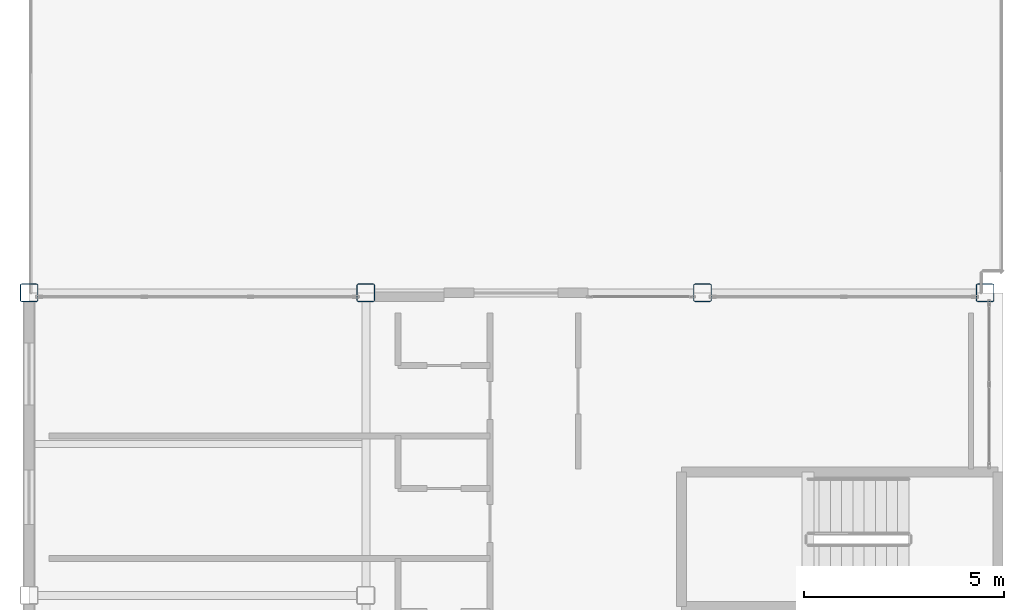
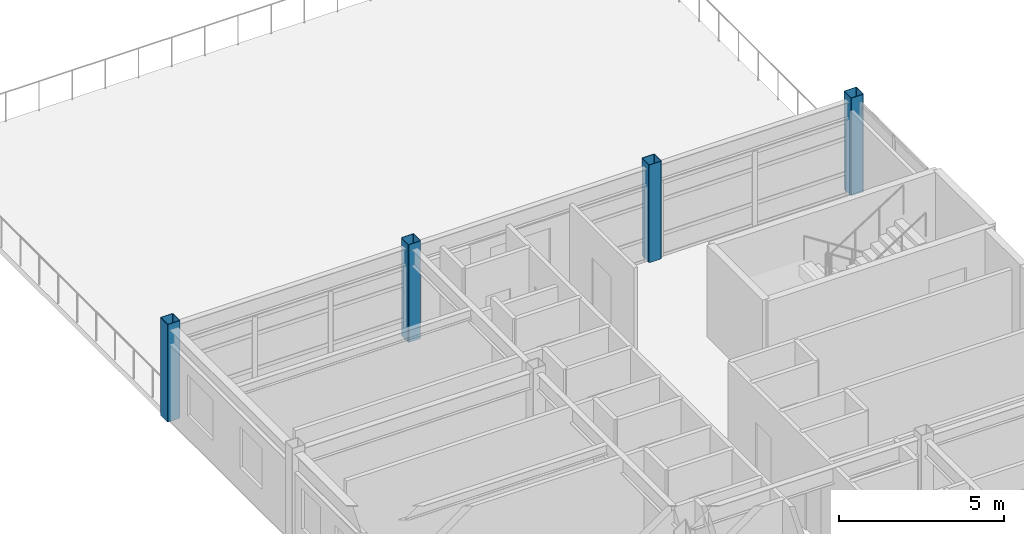
# One storey, part 2 of 28: 4 columns.
"""IFC4 building model written with IfcOpenShell, lengths in metres."""

from ifc_helpers import new_model, si_unit, direction, frame, origin, origin_2d, place, context, subcontext, project, spatial, hollow_rectangle, extrude, material, material_profile, profile_set, type_object, element, save


model = new_model("IFC4")

# Units and contexts
model_context = context("Model", 3, precision=1e-05, world=origin(), true_north=direction((0.0, 1.0)))
body_context = subcontext(model_context, "Body", "Model", "MODEL_VIEW")
ifc_project = project(units=[si_unit("LENGTHUNIT", "METRE"), si_unit("AREAUNIT", "SQUARE_METRE"), si_unit("VOLUMEUNIT", "CUBIC_METRE"), si_unit("PLANEANGLEUNIT", "RADIAN"), si_unit("MASSUNIT", "GRAM", prefix="KILO")], contexts=[model_context])

# Site, building, storey
site_placement = place(None, origin())
site = spatial("IfcSite", under=ifc_project, at=site_placement, CompositionType="ELEMENT")
building_placement = place(site_placement, origin())
building = spatial("IfcBuilding", under=site, at=building_placement, Name="Kazehara Bluff Congress Hotel", CompositionType="ELEMENT")
storey_placement = place(building_placement, frame((0.0, 0.0, 42.60009765625)))
storey = spatial("IfcBuildingStorey", under=building, at=storey_placement, Name="L10", CompositionType="ELEMENT", Elevation=42.60009765625)

# Columns
ifc_material = material(Name="Steel BCR295", Category="steel")
ifc_material_profile = material_profile(ifc_material, hollow_rectangle(XDim=0.449951171875, YDim=0.449951171875, WallThickness=0.01904296875, InnerFilletRadius=0.01904296875, OuterFilletRadius=0.0380859375, at=origin_2d()))
ifc_profile_set = profile_set([ifc_material_profile], Name="Steel BCR295")
column_type = type_object("IfcColumnType", Name="TP-C-08", PredefinedType="COLUMN", material=ifc_profile_set)
for number, where, z_axis, x_axis, name in (
    (1, (143.699951171875, 80.89990234375, 0.0), (0.0, 0.0, 1.0), (1.0, 0.0, 0.0), "L10 column C-08 (143.70,80.90)"),
    (2, (152.10009765625, 80.89990234375, 0.0), (0.0, 0.0, 1.0), (1.0, 0.0, 0.0), "L10 column C-08 (152.10,80.90)"),
    (3, (160.5, 80.89990234375, 0.0), (0.0, 0.0, 1.0), (1.0, 0.0, 0.0), "L10 column C-08 (160.50,80.90)"),
    (4, (167.550048828125, 80.89990234375, 0.0), (0.0, 0.0, 1.0), (1.0, 0.0, 0.0), "L10 column C-08 (167.55,80.90)"),
):
    element("IfcColumn", number, at=place(storey_placement, frame(where, z_axis=z_axis, x_axis=x_axis)), inside=storey, type_object=column_type, Name=name, PredefinedType="COLUMN", context=body_context, shape_type="SweptSolid", body=[
        extrude(hollow_rectangle(XDim=0.449951171875, YDim=0.449951171875, WallThickness=0.01904296875, InnerFilletRadius=0.01904296875, OuterFilletRadius=0.0380859375, at=origin_2d()), origin(), (0.0, 0.0, 1.0), 3.599853515625),
    ])

save(model, "model.ifc")
